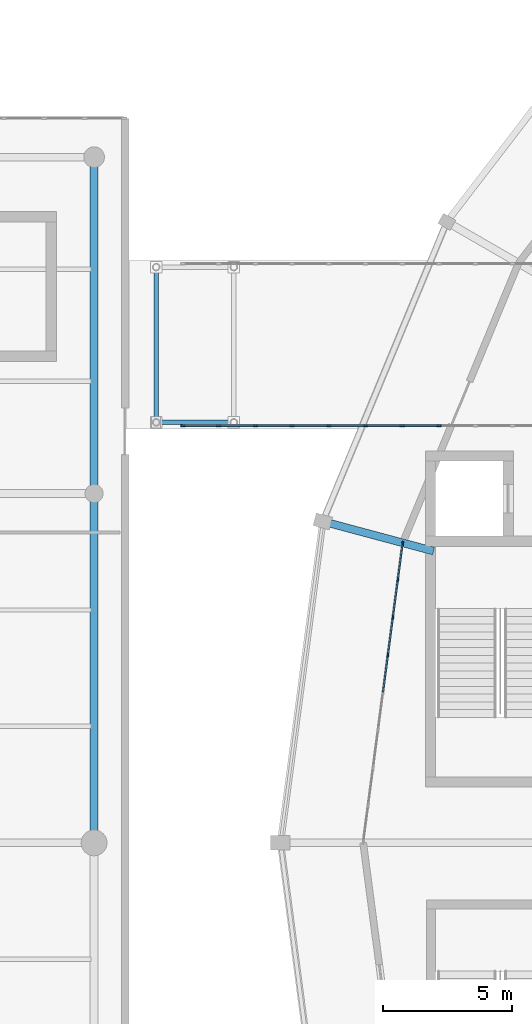
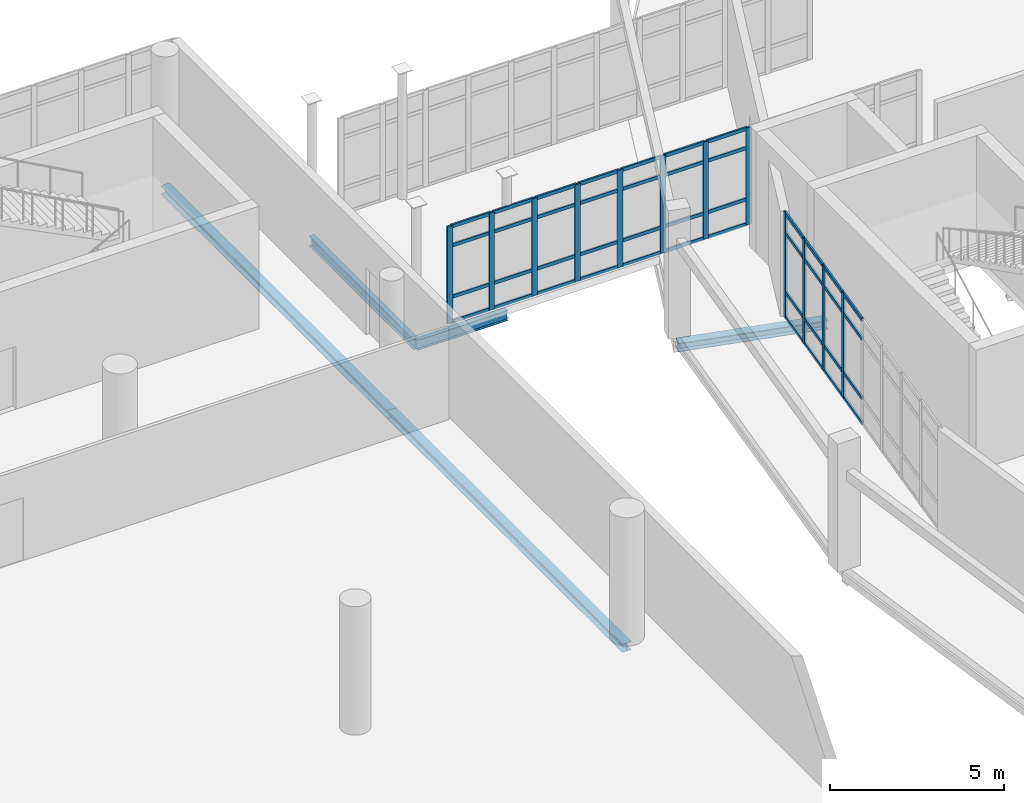
# One storey, part 48 of 122: 56 members, 5 beams, 2 elements without a shape of their own.
"""IFC4 building model written with IfcOpenShell, lengths in metres."""

import ifcopenshell
import ifcopenshell.guid

model = None  # the IFC model being written
_history = None  # IfcOwnerHistory: only IFC2X3 demands one
_inside = {}  # id of a spatial element -> (the spatial element, [elements in it])
_under = {}  # id of a project, library or spatial element -> (it, [spatial elements below it])
_declared = {}  # id of a project -> (the project, [libraries it declares])
_typed = {}  # id of a type object -> (the type object, [elements of that type])
_made_of = {}  # id of a material, layer set ... -> (it, [elements and type objects made of it])


def new_model(schema):
    """Start an empty IFC model of exactly this schema.

    Asked for "IFC4X3", IfcOpenShell would pick the latest addendum, in which some entities
    have other attributes; the version numbers below select the first issue.
    IFC2X3 requires an IfcOwnerHistory on every rooted entity: one is made here for all.
    """
    global model, _history
    if schema == "IFC4X3":
        model = ifcopenshell.file(schema_version=(4, 3, 0, 0))
    else:
        model = ifcopenshell.file(schema=schema)
    _inside.clear()
    _under.clear()
    _declared.clear()
    _typed.clear()
    _made_of.clear()
    _history = None
    if model.schema == "IFC2X3":
        org = make("IfcOrganization", Name="unknown")
        user = make(
            "IfcPersonAndOrganization",
            ThePerson=make("IfcPerson", FamilyName="unknown"),
            TheOrganization=org,
        )
        app = make(
            "IfcApplication",
            ApplicationDeveloper=org,
            Version="unknown",
            ApplicationFullName="unknown",
            ApplicationIdentifier="unknown",
        )
        _history = make(
            "IfcOwnerHistory",
            OwningUser=user,
            OwningApplication=app,
            ChangeAction="ADDED",
            CreationDate=0,
        )
    return model


def make(cls, **values):
    """One entity of the class cls with the attributes given. An attribute that is None is left unset."""
    return model.create_entity(
        cls, **{name: value for name, value in values.items() if value is not None}
    )


def rooted(cls, **values):
    """An entity with a GlobalId (a new one), such as an element, a storey or a relation."""
    return make(cls, GlobalId=ifcopenshell.guid.new(), OwnerHistory=_history, **values)


def si_unit(unit_type, name, prefix=None):
    """IfcSIUnit, for example si_unit("LENGTHUNIT", "METRE", prefix="MILLI")."""
    return make("IfcSIUnit", UnitType=unit_type, Prefix=prefix, Name=name)


def assignment(units):
    """IfcUnitAssignment: the units of a project."""
    return None if units is None else make("IfcUnitAssignment", Units=units)


def point(xyz):
    """IfcCartesianPoint."""
    return None if xyz is None else make("IfcCartesianPoint", Coordinates=xyz)


def direction(xyz):
    """IfcDirection."""
    return None if xyz is None else make("IfcDirection", DirectionRatios=xyz)


def frame(location, z_axis=None, x_axis=None):
    """IfcAxis2Placement3D, a coordinate frame: its origin and axes. An axis left out is left unset."""
    return make(
        "IfcAxis2Placement3D",
        Location=point(location),
        Axis=direction(z_axis),
        RefDirection=direction(x_axis),
    )


def frame_2d(location, x_axis=None):
    """IfcAxis2Placement2D, a coordinate frame in the plane: its origin and x axis."""
    return make(
        "IfcAxis2Placement2D", Location=point(location), RefDirection=direction(x_axis)
    )


def origin():
    """The frame at (0, 0, 0) with its axes left unset."""
    return frame((0.0, 0.0, 0.0))


def origin_2d():
    """The frame at (0, 0) in the plane with its x axis left unset."""
    return frame_2d((0.0, 0.0))


def place(relative_to, where):
    """IfcLocalPlacement: puts the frame where relative to a parent placement (None: the world)."""
    return make(
        "IfcLocalPlacement", PlacementRelTo=relative_to, RelativePlacement=where
    )


def context(
    kind, dimensions, precision=None, world=None, true_north=None, identifier=None
):
    """IfcGeometricRepresentationContext, for example the 3D "Model" context."""
    return make(
        "IfcGeometricRepresentationContext",
        ContextIdentifier=identifier,
        ContextType=kind,
        CoordinateSpaceDimension=dimensions,
        Precision=precision,
        WorldCoordinateSystem=world,
        TrueNorth=true_north,
    )


def subcontext(parent, identifier, kind, view, scale=None):
    """IfcGeometricRepresentationSubContext, for example "Body" below "Model"."""
    return make(
        "IfcGeometricRepresentationSubContext",
        ContextIdentifier=identifier,
        ContextType=kind,
        ParentContext=parent,
        TargetScale=scale,
        TargetView=view,
    )


def project(units=None, contexts=None):
    """IfcProject with its units and contexts."""
    return rooted(
        "IfcProject",
        Name="project",
        RepresentationContexts=contexts,
        UnitsInContext=assignment(units),
    )


def spatial(cls, under=None, at=None, **own):
    """A site, building, storey or space (cls), placed at a placement, below another one or the project."""
    s = rooted(cls, ObjectPlacement=at, **own)
    if under is not None:
        _under.setdefault(under.id(), (under, []))[1].append(s)
    return s


def profile(cls, at=None, kind="AREA", **sizes):
    """A parametric profile (cls). Its sizes go by their IFC names, for example OverallWidth=200.0."""
    return make(cls, ProfileType=kind, Position=at, **sizes)


def rectangle(**sizes):
    """IfcRectangleProfileDef."""
    return profile("IfcRectangleProfileDef", **sizes)


def i_section(**sizes):
    """IfcIShapeProfileDef."""
    return profile("IfcIShapeProfileDef", **sizes)


def extrude(swept, where, along, depth):
    """IfcExtrudedAreaSolid: the profile swept, set in the frame where, extruded along a direction by depth."""
    return make(
        "IfcExtrudedAreaSolid",
        SweptArea=swept,
        Position=where,
        ExtrudedDirection=direction(along),
        Depth=depth,
    )


def shape(context_of_items, identifier, shape_type, items):
    """IfcShapeRepresentation: the items that make up one representation, for example the "Body"."""
    return make(
        "IfcShapeRepresentation",
        ContextOfItems=context_of_items,
        RepresentationIdentifier=identifier,
        RepresentationType=shape_type,
        Items=items,
    )


def material(Name=None, Category=None):
    """IfcMaterial."""
    return make("IfcMaterial", Name=Name, Category=Category)


def layer(
    of_material, thickness, ventilated=None, Name=None, Category=None, Priority=None
):
    """IfcMaterialLayer: one layer of a wall or slab, of a material (None: an air gap)."""
    return make(
        "IfcMaterialLayer",
        Material=of_material,
        LayerThickness=thickness,
        IsVentilated=ventilated,
        Name=Name,
        Category=Category,
        Priority=Priority,
    )


def layer_set(layers, Name=None):
    """IfcMaterialLayerSet."""
    return make("IfcMaterialLayerSet", MaterialLayers=layers, LayerSetName=Name)


def material_profile(
    of_material, cross_section, Name=None, Category=None, Priority=None
):
    """IfcMaterialProfile: a cross section and its material."""
    return make(
        "IfcMaterialProfile",
        Name=Name,
        Material=of_material,
        Profile=cross_section,
        Priority=Priority,
        Category=Category,
    )


def profile_set(profiles, Name=None, composite=None):
    """IfcMaterialProfileSet."""
    return make(
        "IfcMaterialProfileSet",
        Name=Name,
        MaterialProfiles=profiles,
        CompositeProfile=composite,
    )


def made_of(thing, what):
    """Note that an element or type object is made of a material, layer set ...; save() writes the relation."""
    if what is not None:
        _made_of.setdefault(what.id(), (what, []))[1].append(thing)
    return thing


def type_object(cls, material=None, **own):
    """A type object (cls), such as IfcWallType, which elements share."""
    return made_of(rooted(cls, **own), material)


def element(
    cls,
    number,
    at=None,
    inside=None,
    cuts=None,
    type_object=None,
    material=None,
    context=None,
    identifier="Body",
    shape_type=None,
    held_by="IfcProductDefinitionShape",
    body=None,
    shapes=None,
    **own,
):
    """One element of the class cls, such as IfcWall. Its Tag is "e" and its number.

    at: its placement. inside: the storey or other place that contains it. cuts: it is an
    opening in that element (IfcRelVoidsElement). A single representation is given by context,
    identifier, shape_type and body (its items); several are given by shapes. held_by: the class
    of the entity that holds the representations. save() writes the other relations.
    """
    e = rooted(cls, Tag="e%d" % number, ObjectPlacement=at, **own)
    if body is not None:
        shapes = [shape(context, identifier, shape_type, body)]
    if shapes is not None:
        e.Representation = make(held_by, Representations=shapes)
    if inside is not None:
        _inside.setdefault(inside.id(), (inside, []))[1].append(e)
    if cuts is not None:
        rooted(
            "IfcRelVoidsElement", RelatingBuildingElement=cuts, RelatedOpeningElement=e
        )
    if type_object is not None:
        _typed.setdefault(type_object.id(), (type_object, []))[1].append(e)
    return made_of(e, material)


def aggregate(whole, parts):
    """IfcRelAggregates: a whole, such as a stair, and the parts it consists of."""
    return rooted("IfcRelAggregates", RelatingObject=whole, RelatedObjects=parts)


def save(model, path):
    """Write the relations noted so far, then the file.

    IfcRelAggregates (storeys below a building ...), IfcRelContainedInSpatialStructure (elements
    in a storey), IfcRelDefinesByType, IfcRelAssociatesMaterial and IfcRelDeclares: one each for
    every whole, place, type object, material and project.
    """
    for whole, parts in _under.values():
        aggregate(whole, parts)
    for where, things in _inside.values():
        rooted(
            "IfcRelContainedInSpatialStructure",
            RelatedElements=things,
            RelatingStructure=where,
        )
    for kind, things in _typed.values():
        rooted("IfcRelDefinesByType", RelatedObjects=things, RelatingType=kind)
    for what, things in _made_of.values():
        rooted("IfcRelAssociatesMaterial", RelatedObjects=things, RelatingMaterial=what)
    for by, libraries in _declared.values():
        rooted("IfcRelDeclares", RelatingContext=by, RelatedDefinitions=libraries)
    model.write(path)


model = new_model("IFC4")

# Units and contexts
model_context = context("Model", 3, precision=1e-05, world=origin(), true_north=direction((0.0, 1.0)))
body_context = subcontext(model_context, "Body", "Model", "MODEL_VIEW")
ifc_project = project(units=[si_unit("LENGTHUNIT", "METRE"), si_unit("AREAUNIT", "SQUARE_METRE"), si_unit("VOLUMEUNIT", "CUBIC_METRE"), si_unit("PLANEANGLEUNIT", "RADIAN"), si_unit("MASSUNIT", "GRAM", prefix="KILO")], contexts=[model_context])

# Site, building, storey
site_placement = place(None, origin())
site = spatial("IfcSite", under=ifc_project, at=site_placement, CompositionType="ELEMENT")
building_placement = place(site_placement, origin())
building = spatial("IfcBuilding", under=site, at=building_placement, Name="Sohan Crest Arena", CompositionType="ELEMENT")
storey_placement = place(building_placement, origin())
storey = spatial("IfcBuildingStorey", under=building, at=storey_placement, Name="L00", CompositionType="ELEMENT", Elevation=0.0)

# Curtain wall, members
ifc_material_1 = material(Name="Thermally broken anodised aluminium", Category="aluminium")
ifc_layer_1 = layer(ifc_material_1, 0.179931640625, Name="Thermally broken anodised aluminium")
ifc_layer_set_1 = layer_set([ifc_layer_1], Name="Thermally broken anodised aluminium")
curtain_wall_type_1 = type_object("IfcCurtainWallType", Name="ARC-CW01", PredefinedType="NOTDEFINED", material=ifc_layer_set_1)
curtain_wall_1_placement = place(storey_placement, origin())
curtain_wall_1 = element("IfcCurtainWall", 1, at=curtain_wall_1_placement, inside=storey, type_object=curtain_wall_type_1, Name="Unitised curtain wall CW-004", PredefinedType="NOTDEFINED")
ifc_material_profile_1 = material_profile(ifc_material_1, rectangle(XDim=0.06005859375, YDim=0.159912109375, at=origin_2d()), Name="ALU-MULL 60x160")
ifc_profile_set_1 = profile_set([ifc_material_profile_1], Name="Thermally broken anodised aluminium")
member_type_1 = type_object("IfcMemberType", Name="ARC-CW-ML01", PredefinedType="MULLION", material=ifc_profile_set_1)
member_1_placement = place(storey_placement, frame((54.72314453125, 89.565185546875, 0.0), z_axis=(0.0, 0.0, 1.0), x_axis=(0.991439446395, -0.13056731648, 0.0)))
member_1 = element("IfcMember", 2, at=member_1_placement, type_object=member_type_1, Name="CW-004 mullion 1", PredefinedType="MULLION", context=body_context, shape_type="SweptSolid", body=[
    extrude(rectangle(XDim=0.06005859375, YDim=0.159912109375, at=origin_2d()), origin(), (0.0, 0.0, 1.0), 3.679931640625),
])
member_2_placement = place(storey_placement, frame((54.5361328125, 88.1455078125, 0.0), z_axis=(0.0, 0.0, 1.0), x_axis=(0.991439446395, -0.13056731648, 0.0)))
member_2 = element("IfcMember", 3, at=member_2_placement, type_object=member_type_1, Name="CW-004 mullion 2", PredefinedType="MULLION", context=body_context, shape_type="SweptSolid", body=[
    extrude(rectangle(XDim=0.06005859375, YDim=0.159912109375, at=origin_2d()), origin(), (0.0, 0.0, 1.0), 3.679931640625),
])
member_3_placement = place(storey_placement, frame((54.34521484375, 86.6962890625, 0.0), z_axis=(0.0, 0.0, 1.0), x_axis=(0.991439446395, -0.13056731648, 0.0)))
member_3 = element("IfcMember", 4, at=member_3_placement, type_object=member_type_1, Name="CW-004 mullion 3", PredefinedType="MULLION", context=body_context, shape_type="SweptSolid", body=[
    extrude(rectangle(XDim=0.06005859375, YDim=0.159912109375, at=origin_2d()), origin(), (0.0, 0.0, 1.0), 3.679931640625),
])
member_4_placement = place(storey_placement, frame((54.154296875, 85.246826171875, 0.0), z_axis=(0.0, 0.0, 1.0), x_axis=(0.991439446395, -0.13056731648, 0.0)))
member_4 = element("IfcMember", 5, at=member_4_placement, type_object=member_type_1, Name="CW-004 mullion 4", PredefinedType="MULLION", context=body_context, shape_type="SweptSolid", body=[
    extrude(rectangle(XDim=0.06005859375, YDim=0.159912109375, at=origin_2d()), origin(), (0.0, 0.0, 1.0), 3.679931640625),
])

ifc_layer_2 = layer(ifc_material_1, 0.18994140625, Name="Thermally broken anodised aluminium")
ifc_layer_set_2 = layer_set([ifc_layer_2], Name="Thermally broken anodised aluminium")
curtain_wall_type_2 = type_object("IfcCurtainWallType", Name="ARC-CW05", PredefinedType="NOTDEFINED", material=ifc_layer_set_2)
curtain_wall_2_placement = place(storey_placement, origin())
curtain_wall_2 = element("IfcCurtainWall", 6, at=curtain_wall_2_placement, inside=storey, type_object=curtain_wall_type_2, Name="Unitised curtain wall CW-231", PredefinedType="NOTDEFINED")
ifc_material_profile_2 = material_profile(ifc_material_1, rectangle(XDim=0.06494140625, YDim=0.179931640625, at=origin_2d()), Name="ALU-MULL 65x180")
ifc_profile_set_2 = profile_set([ifc_material_profile_2], Name="Thermally broken anodised aluminium")
member_type_2 = type_object("IfcMemberType", Name="ARC-CW-ML02", PredefinedType="MULLION", material=ifc_profile_set_2)
member_5_placement = place(storey_placement, frame((46.232421875, 94.1201171875, 0.0), z_axis=(0.0, 0.0, 1.0), x_axis=(0.0, 1.0, 0.0)))
member_5 = element("IfcMember", 7, at=member_5_placement, type_object=member_type_2, Name="CW-231 mullion 1", PredefinedType="MULLION", context=body_context, shape_type="SweptSolid", body=[
    extrude(rectangle(XDim=0.06494140625, YDim=0.179931640625, at=origin_2d()), origin(), (0.0, 0.0, 1.0), 3.39990234375),
])
member_6_placement = place(storey_placement, frame((47.6181640625, 94.1201171875, 0.0), z_axis=(0.0, 0.0, 1.0), x_axis=(0.0, 1.0, 0.0)))
member_6 = element("IfcMember", 8, at=member_6_placement, type_object=member_type_2, Name="CW-231 mullion 2", PredefinedType="MULLION", context=body_context, shape_type="SweptSolid", body=[
    extrude(rectangle(XDim=0.06494140625, YDim=0.179931640625, at=origin_2d()), origin(), (0.0, 0.0, 1.0), 3.39990234375),
])
member_7_placement = place(storey_placement, frame((49.036376953125, 94.1201171875, 0.0), z_axis=(0.0, 0.0, 1.0), x_axis=(0.0, 1.0, 0.0)))
member_7 = element("IfcMember", 9, at=member_7_placement, type_object=member_type_2, Name="CW-231 mullion 3", PredefinedType="MULLION", context=body_context, shape_type="SweptSolid", body=[
    extrude(rectangle(XDim=0.06494140625, YDim=0.179931640625, at=origin_2d()), origin(), (0.0, 0.0, 1.0), 3.39990234375),
])
member_8_placement = place(storey_placement, frame((50.45458984375, 94.1201171875, 0.0), z_axis=(0.0, 0.0, 1.0), x_axis=(0.0, 1.0, 0.0)))
member_8 = element("IfcMember", 10, at=member_8_placement, type_object=member_type_2, Name="CW-231 mullion 4", PredefinedType="MULLION", context=body_context, shape_type="SweptSolid", body=[
    extrude(rectangle(XDim=0.06494140625, YDim=0.179931640625, at=origin_2d()), origin(), (0.0, 0.0, 1.0), 3.39990234375),
])
member_9_placement = place(storey_placement, frame((51.872802734375, 94.1201171875, 0.0), z_axis=(0.0, 0.0, 1.0), x_axis=(0.0, 1.0, 0.0)))
member_9 = element("IfcMember", 11, at=member_9_placement, type_object=member_type_2, Name="CW-231 mullion 5", PredefinedType="MULLION", context=body_context, shape_type="SweptSolid", body=[
    extrude(rectangle(XDim=0.06494140625, YDim=0.179931640625, at=origin_2d()), origin(), (0.0, 0.0, 1.0), 3.39990234375),
])
member_10_placement = place(storey_placement, frame((53.291015625, 94.1201171875, 0.0), z_axis=(0.0, 0.0, 1.0), x_axis=(0.0, 1.0, 0.0)))
member_10 = element("IfcMember", 12, at=member_10_placement, type_object=member_type_2, Name="CW-231 mullion 6", PredefinedType="MULLION", context=body_context, shape_type="SweptSolid", body=[
    extrude(rectangle(XDim=0.06494140625, YDim=0.179931640625, at=origin_2d()), origin(), (0.0, 0.0, 1.0), 3.39990234375),
])
member_11_placement = place(storey_placement, frame((54.708984375, 94.1201171875, 0.0), z_axis=(0.0, 0.0, 1.0), x_axis=(0.0, 1.0, 0.0)))
member_11 = element("IfcMember", 13, at=member_11_placement, type_object=member_type_2, Name="CW-231 mullion 7", PredefinedType="MULLION", context=body_context, shape_type="SweptSolid", body=[
    extrude(rectangle(XDim=0.06494140625, YDim=0.179931640625, at=origin_2d()), origin(), (0.0, 0.0, 1.0), 3.39990234375),
])
member_12_placement = place(storey_placement, frame((56.127197265625, 94.1201171875, 0.0), z_axis=(0.0, 0.0, 1.0), x_axis=(0.0, 1.0, 0.0)))
member_12 = element("IfcMember", 14, at=member_12_placement, type_object=member_type_2, Name="CW-231 mullion 8", PredefinedType="MULLION", context=body_context, shape_type="SweptSolid", body=[
    extrude(rectangle(XDim=0.06494140625, YDim=0.179931640625, at=origin_2d()), origin(), (0.0, 0.0, 1.0), 3.39990234375),
])

# Member
ifc_material_profile_3 = material_profile(ifc_material_1, rectangle(XDim=0.06005859375, YDim=0.1201171875, at=origin_2d()), Name="ALU-TRAN 60x120")
ifc_profile_set_3 = profile_set([ifc_material_profile_3], Name="Thermally broken anodised aluminium")
member_type_3 = type_object("IfcMemberType", Name="ARC-CW-TR01", PredefinedType="USERDEFINED", material=ifc_profile_set_3)
member_13_placement = place(storey_placement, frame((54.71923828125, 89.535400390625, 0.030029296875), z_axis=(-0.130624841468, -0.991431868961, 0.0), x_axis=(0.991431868961, -0.130624841468, 0.0)))
member_13 = element("IfcMember", 15, at=member_13_placement, type_object=member_type_3, Name="CW-004 transom 1.1", ObjectType="TRANSOM", PredefinedType="USERDEFINED", context=body_context, shape_type="SweptSolid", body=[
    extrude(rectangle(XDim=0.06005859375, YDim=0.1201171875, at=origin_2d()), origin(), (0.0, 0.0, 1.0), 1.371826171875),
])

member_14_placement = place(storey_placement, frame((54.71923828125, 89.535400390625, 0.89990234375), z_axis=(-0.130624841468, -0.991431868961, 0.0), x_axis=(0.991431868961, -0.130624841468, 0.0)))
member_14 = element("IfcMember", 16, at=member_14_placement, type_object=member_type_3, Name="CW-004 transom 1.2", ObjectType="TRANSOM", PredefinedType="USERDEFINED", context=body_context, shape_type="SweptSolid", body=[
    extrude(rectangle(XDim=0.06005859375, YDim=0.1201171875, at=origin_2d()), origin(), (0.0, 0.0, 1.0), 1.371826171875),
])

member_15_placement = place(storey_placement, frame((54.71923828125, 89.535400390625, 2.97998046875), z_axis=(-0.130624841468, -0.991431868961, 0.0), x_axis=(0.991431868961, -0.130624841468, 0.0)))
member_15 = element("IfcMember", 17, at=member_15_placement, type_object=member_type_3, Name="CW-004 transom 1.3", ObjectType="TRANSOM", PredefinedType="USERDEFINED", context=body_context, shape_type="SweptSolid", body=[
    extrude(rectangle(XDim=0.06005859375, YDim=0.1201171875, at=origin_2d()), origin(), (0.0, 0.0, 1.0), 1.371826171875),
])

member_16_placement = place(storey_placement, frame((54.71923828125, 89.535400390625, 3.64990234375), z_axis=(-0.130624841468, -0.991431868961, 0.0), x_axis=(0.991431868961, -0.130624841468, 0.0)))
member_16 = element("IfcMember", 18, at=member_16_placement, type_object=member_type_3, Name="CW-004 transom 1.4", ObjectType="TRANSOM", PredefinedType="USERDEFINED", context=body_context, shape_type="SweptSolid", body=[
    extrude(rectangle(XDim=0.06005859375, YDim=0.1201171875, at=origin_2d()), origin(), (0.0, 0.0, 1.0), 1.371826171875),
])

member_17_placement = place(storey_placement, frame((54.5322265625, 88.115966796875, 0.030029296875), z_axis=(-0.130612182083, -0.9914335368, 0.0), x_axis=(0.9914335368, -0.130612182083, 0.0)))
member_17 = element("IfcMember", 19, at=member_17_placement, type_object=member_type_3, Name="CW-004 transom 2.1", ObjectType="TRANSOM", PredefinedType="USERDEFINED", context=body_context, shape_type="SweptSolid", body=[
    extrude(rectangle(XDim=0.06005859375, YDim=0.1201171875, at=origin_2d()), origin(), (0.0, 0.0, 1.0), 1.40185546875),
])

member_18_placement = place(storey_placement, frame((54.5322265625, 88.115966796875, 0.89990234375), z_axis=(-0.130612182083, -0.9914335368, 0.0), x_axis=(0.9914335368, -0.130612182083, 0.0)))
member_18 = element("IfcMember", 20, at=member_18_placement, type_object=member_type_3, Name="CW-004 transom 2.2", ObjectType="TRANSOM", PredefinedType="USERDEFINED", context=body_context, shape_type="SweptSolid", body=[
    extrude(rectangle(XDim=0.06005859375, YDim=0.1201171875, at=origin_2d()), origin(), (0.0, 0.0, 1.0), 1.40185546875),
])

member_19_placement = place(storey_placement, frame((54.5322265625, 88.115966796875, 2.97998046875), z_axis=(-0.130612182083, -0.9914335368, 0.0), x_axis=(0.9914335368, -0.130612182083, 0.0)))
member_19 = element("IfcMember", 21, at=member_19_placement, type_object=member_type_3, Name="CW-004 transom 2.3", ObjectType="TRANSOM", PredefinedType="USERDEFINED", context=body_context, shape_type="SweptSolid", body=[
    extrude(rectangle(XDim=0.06005859375, YDim=0.1201171875, at=origin_2d()), origin(), (0.0, 0.0, 1.0), 1.40185546875),
])

member_20_placement = place(storey_placement, frame((54.5322265625, 88.115966796875, 3.64990234375), z_axis=(-0.130612182083, -0.9914335368, 0.0), x_axis=(0.9914335368, -0.130612182083, 0.0)))
member_20 = element("IfcMember", 22, at=member_20_placement, type_object=member_type_3, Name="CW-004 transom 2.4", ObjectType="TRANSOM", PredefinedType="USERDEFINED", context=body_context, shape_type="SweptSolid", body=[
    extrude(rectangle(XDim=0.06005859375, YDim=0.1201171875, at=origin_2d()), origin(), (0.0, 0.0, 1.0), 1.40185546875),
])

member_21_placement = place(storey_placement, frame((54.34130859375, 86.66650390625, 0.030029296875), z_axis=(-0.130612182083, -0.9914335368, 0.0), x_axis=(0.9914335368, -0.130612182083, 0.0)))
member_21 = element("IfcMember", 23, at=member_21_placement, type_object=member_type_3, Name="CW-004 transom 3.1", ObjectType="TRANSOM", PredefinedType="USERDEFINED", context=body_context, shape_type="SweptSolid", body=[
    extrude(rectangle(XDim=0.06005859375, YDim=0.1201171875, at=origin_2d()), origin(), (0.0, 0.0, 1.0), 1.40185546875),
])

member_22_placement = place(storey_placement, frame((54.34130859375, 86.66650390625, 0.89990234375), z_axis=(-0.130612182083, -0.9914335368, 0.0), x_axis=(0.9914335368, -0.130612182083, 0.0)))
member_22 = element("IfcMember", 24, at=member_22_placement, type_object=member_type_3, Name="CW-004 transom 3.2", ObjectType="TRANSOM", PredefinedType="USERDEFINED", context=body_context, shape_type="SweptSolid", body=[
    extrude(rectangle(XDim=0.06005859375, YDim=0.1201171875, at=origin_2d()), origin(), (0.0, 0.0, 1.0), 1.40185546875),
])

member_23_placement = place(storey_placement, frame((54.34130859375, 86.66650390625, 2.97998046875), z_axis=(-0.130612182083, -0.9914335368, 0.0), x_axis=(0.9914335368, -0.130612182083, 0.0)))
member_23 = element("IfcMember", 25, at=member_23_placement, type_object=member_type_3, Name="CW-004 transom 3.3", ObjectType="TRANSOM", PredefinedType="USERDEFINED", context=body_context, shape_type="SweptSolid", body=[
    extrude(rectangle(XDim=0.06005859375, YDim=0.1201171875, at=origin_2d()), origin(), (0.0, 0.0, 1.0), 1.40185546875),
])

member_24_placement = place(storey_placement, frame((54.34130859375, 86.66650390625, 3.64990234375), z_axis=(-0.130612182083, -0.9914335368, 0.0), x_axis=(0.9914335368, -0.130612182083, 0.0)))
member_24 = element("IfcMember", 26, at=member_24_placement, type_object=member_type_3, Name="CW-004 transom 3.4", ObjectType="TRANSOM", PredefinedType="USERDEFINED", context=body_context, shape_type="SweptSolid", body=[
    extrude(rectangle(XDim=0.06005859375, YDim=0.1201171875, at=origin_2d()), origin(), (0.0, 0.0, 1.0), 1.40185546875),
])

member_25_placement = place(storey_placement, frame((54.150390625, 85.217041015625, 0.030029296875), z_axis=(-0.130440997581, -0.991456073737, 0.0), x_axis=(0.991456073737, -0.130440997581, 0.0)))
member_25 = element("IfcMember", 27, at=member_25_placement, type_object=member_type_3, Name="CW-004 transom 4.1", ObjectType="TRANSOM", PredefinedType="USERDEFINED", context=body_context, shape_type="SweptSolid", body=[
    extrude(rectangle(XDim=0.06005859375, YDim=0.1201171875, at=origin_2d()), origin(), (0.0, 0.0, 1.0), 1.40185546875),
])

member_26_placement = place(storey_placement, frame((54.150390625, 85.217041015625, 0.89990234375), z_axis=(-0.130440997581, -0.991456073737, 0.0), x_axis=(0.991456073737, -0.130440997581, 0.0)))
member_26 = element("IfcMember", 28, at=member_26_placement, type_object=member_type_3, Name="CW-004 transom 4.2", ObjectType="TRANSOM", PredefinedType="USERDEFINED", context=body_context, shape_type="SweptSolid", body=[
    extrude(rectangle(XDim=0.06005859375, YDim=0.1201171875, at=origin_2d()), origin(), (0.0, 0.0, 1.0), 1.40185546875),
])

member_27_placement = place(storey_placement, frame((54.150390625, 85.217041015625, 2.97998046875), z_axis=(-0.130440997581, -0.991456073737, 0.0), x_axis=(0.991456073737, -0.130440997581, 0.0)))
member_27 = element("IfcMember", 29, at=member_27_placement, type_object=member_type_3, Name="CW-004 transom 4.3", ObjectType="TRANSOM", PredefinedType="USERDEFINED", context=body_context, shape_type="SweptSolid", body=[
    extrude(rectangle(XDim=0.06005859375, YDim=0.1201171875, at=origin_2d()), origin(), (0.0, 0.0, 1.0), 1.40185546875),
])

member_28_placement = place(storey_placement, frame((54.150390625, 85.217041015625, 3.64990234375), z_axis=(-0.130440997581, -0.991456073737, 0.0), x_axis=(0.991456073737, -0.130440997581, 0.0)))
member_28 = element("IfcMember", 30, at=member_28_placement, type_object=member_type_3, Name="CW-004 transom 4.4", ObjectType="TRANSOM", PredefinedType="USERDEFINED", context=body_context, shape_type="SweptSolid", body=[
    extrude(rectangle(XDim=0.06005859375, YDim=0.1201171875, at=origin_2d()), origin(), (0.0, 0.0, 1.0), 1.40185546875),
])

aggregate(curtain_wall_1, [member_1, member_2, member_3, member_4, member_13, member_14, member_15, member_16, member_17, member_18, member_19, member_20, member_21, member_22, member_23, member_24, member_25, member_26, member_27, member_28])

member_29_placement = place(storey_placement, frame((46.264892578125, 94.1201171875, 0.030029296875), z_axis=(1.0, 0.0, 0.0), x_axis=(0.0, 1.0, 0.0)))
member_29 = element("IfcMember", 31, at=member_29_placement, type_object=member_type_3, Name="CW-231 transom 1.1", ObjectType="TRANSOM", PredefinedType="USERDEFINED", context=body_context, shape_type="SweptSolid", body=[
    extrude(rectangle(XDim=0.06005859375, YDim=0.1201171875, at=origin_2d()), origin(), (0.0, 0.0, 1.0), 1.32080078125),
])

member_30_placement = place(storey_placement, frame((46.264892578125, 94.1201171875, 0.89990234375), z_axis=(1.0, 0.0, 0.0), x_axis=(0.0, 1.0, 0.0)))
member_30 = element("IfcMember", 32, at=member_30_placement, type_object=member_type_3, Name="CW-231 transom 1.2", ObjectType="TRANSOM", PredefinedType="USERDEFINED", context=body_context, shape_type="SweptSolid", body=[
    extrude(rectangle(XDim=0.06005859375, YDim=0.1201171875, at=origin_2d()), origin(), (0.0, 0.0, 1.0), 1.32080078125),
])

member_31_placement = place(storey_placement, frame((46.264892578125, 94.1201171875, 2.699951171875), z_axis=(1.0, 0.0, 0.0), x_axis=(0.0, 1.0, 0.0)))
member_31 = element("IfcMember", 33, at=member_31_placement, type_object=member_type_3, Name="CW-231 transom 1.3", ObjectType="TRANSOM", PredefinedType="USERDEFINED", context=body_context, shape_type="SweptSolid", body=[
    extrude(rectangle(XDim=0.06005859375, YDim=0.1201171875, at=origin_2d()), origin(), (0.0, 0.0, 1.0), 1.32080078125),
])

member_32_placement = place(storey_placement, frame((46.264892578125, 94.1201171875, 3.3701171875), z_axis=(1.0, 0.0, 0.0), x_axis=(0.0, 1.0, 0.0)))
member_32 = element("IfcMember", 34, at=member_32_placement, type_object=member_type_3, Name="CW-231 transom 1.4", ObjectType="TRANSOM", PredefinedType="USERDEFINED", context=body_context, shape_type="SweptSolid", body=[
    extrude(rectangle(XDim=0.06005859375, YDim=0.1201171875, at=origin_2d()), origin(), (0.0, 0.0, 1.0), 1.32080078125),
])

member_33_placement = place(storey_placement, frame((47.650634765625, 94.1201171875, 0.030029296875), z_axis=(1.0, 0.0, 0.0), x_axis=(0.0, 1.0, 0.0)))
member_33 = element("IfcMember", 35, at=member_33_placement, type_object=member_type_3, Name="CW-231 transom 2.1", ObjectType="TRANSOM", PredefinedType="USERDEFINED", context=body_context, shape_type="SweptSolid", body=[
    extrude(rectangle(XDim=0.06005859375, YDim=0.1201171875, at=origin_2d()), origin(), (0.0, 0.0, 1.0), 1.353271484375),
])

member_34_placement = place(storey_placement, frame((47.650634765625, 94.1201171875, 0.89990234375), z_axis=(1.0, 0.0, 0.0), x_axis=(0.0, 1.0, 0.0)))
member_34 = element("IfcMember", 36, at=member_34_placement, type_object=member_type_3, Name="CW-231 transom 2.2", ObjectType="TRANSOM", PredefinedType="USERDEFINED", context=body_context, shape_type="SweptSolid", body=[
    extrude(rectangle(XDim=0.06005859375, YDim=0.1201171875, at=origin_2d()), origin(), (0.0, 0.0, 1.0), 1.353271484375),
])

member_35_placement = place(storey_placement, frame((47.650634765625, 94.1201171875, 2.699951171875), z_axis=(1.0, 0.0, 0.0), x_axis=(0.0, 1.0, 0.0)))
member_35 = element("IfcMember", 37, at=member_35_placement, type_object=member_type_3, Name="CW-231 transom 2.3", ObjectType="TRANSOM", PredefinedType="USERDEFINED", context=body_context, shape_type="SweptSolid", body=[
    extrude(rectangle(XDim=0.06005859375, YDim=0.1201171875, at=origin_2d()), origin(), (0.0, 0.0, 1.0), 1.353271484375),
])

member_36_placement = place(storey_placement, frame((47.650634765625, 94.1201171875, 3.3701171875), z_axis=(1.0, 0.0, 0.0), x_axis=(0.0, 1.0, 0.0)))
member_36 = element("IfcMember", 38, at=member_36_placement, type_object=member_type_3, Name="CW-231 transom 2.4", ObjectType="TRANSOM", PredefinedType="USERDEFINED", context=body_context, shape_type="SweptSolid", body=[
    extrude(rectangle(XDim=0.06005859375, YDim=0.1201171875, at=origin_2d()), origin(), (0.0, 0.0, 1.0), 1.353271484375),
])

member_37_placement = place(storey_placement, frame((49.06884765625, 94.1201171875, 0.030029296875), z_axis=(1.0, 0.0, 0.0), x_axis=(0.0, 1.0, 0.0)))
member_37 = element("IfcMember", 39, at=member_37_placement, type_object=member_type_3, Name="CW-231 transom 3.1", ObjectType="TRANSOM", PredefinedType="USERDEFINED", context=body_context, shape_type="SweptSolid", body=[
    extrude(rectangle(XDim=0.06005859375, YDim=0.1201171875, at=origin_2d()), origin(), (0.0, 0.0, 1.0), 1.353271484375),
])

member_38_placement = place(storey_placement, frame((49.06884765625, 94.1201171875, 0.89990234375), z_axis=(1.0, 0.0, 0.0), x_axis=(0.0, 1.0, 0.0)))
member_38 = element("IfcMember", 40, at=member_38_placement, type_object=member_type_3, Name="CW-231 transom 3.2", ObjectType="TRANSOM", PredefinedType="USERDEFINED", context=body_context, shape_type="SweptSolid", body=[
    extrude(rectangle(XDim=0.06005859375, YDim=0.1201171875, at=origin_2d()), origin(), (0.0, 0.0, 1.0), 1.353271484375),
])

member_39_placement = place(storey_placement, frame((49.06884765625, 94.1201171875, 2.699951171875), z_axis=(1.0, 0.0, 0.0), x_axis=(0.0, 1.0, 0.0)))
member_39 = element("IfcMember", 41, at=member_39_placement, type_object=member_type_3, Name="CW-231 transom 3.3", ObjectType="TRANSOM", PredefinedType="USERDEFINED", context=body_context, shape_type="SweptSolid", body=[
    extrude(rectangle(XDim=0.06005859375, YDim=0.1201171875, at=origin_2d()), origin(), (0.0, 0.0, 1.0), 1.353271484375),
])

member_40_placement = place(storey_placement, frame((49.06884765625, 94.1201171875, 3.3701171875), z_axis=(1.0, 0.0, 0.0), x_axis=(0.0, 1.0, 0.0)))
member_40 = element("IfcMember", 42, at=member_40_placement, type_object=member_type_3, Name="CW-231 transom 3.4", ObjectType="TRANSOM", PredefinedType="USERDEFINED", context=body_context, shape_type="SweptSolid", body=[
    extrude(rectangle(XDim=0.06005859375, YDim=0.1201171875, at=origin_2d()), origin(), (0.0, 0.0, 1.0), 1.353271484375),
])

member_41_placement = place(storey_placement, frame((50.487060546875, 94.1201171875, 0.030029296875), z_axis=(1.0, 0.0, 0.0), x_axis=(0.0, 1.0, 0.0)))
member_41 = element("IfcMember", 43, at=member_41_placement, type_object=member_type_3, Name="CW-231 transom 4.1", ObjectType="TRANSOM", PredefinedType="USERDEFINED", context=body_context, shape_type="SweptSolid", body=[
    extrude(rectangle(XDim=0.06005859375, YDim=0.1201171875, at=origin_2d()), origin(), (0.0, 0.0, 1.0), 1.353271484375),
])

member_42_placement = place(storey_placement, frame((50.487060546875, 94.1201171875, 0.89990234375), z_axis=(1.0, 0.0, 0.0), x_axis=(0.0, 1.0, 0.0)))
member_42 = element("IfcMember", 44, at=member_42_placement, type_object=member_type_3, Name="CW-231 transom 4.2", ObjectType="TRANSOM", PredefinedType="USERDEFINED", context=body_context, shape_type="SweptSolid", body=[
    extrude(rectangle(XDim=0.06005859375, YDim=0.1201171875, at=origin_2d()), origin(), (0.0, 0.0, 1.0), 1.353271484375),
])

member_43_placement = place(storey_placement, frame((50.487060546875, 94.1201171875, 2.699951171875), z_axis=(1.0, 0.0, 0.0), x_axis=(0.0, 1.0, 0.0)))
member_43 = element("IfcMember", 45, at=member_43_placement, type_object=member_type_3, Name="CW-231 transom 4.3", ObjectType="TRANSOM", PredefinedType="USERDEFINED", context=body_context, shape_type="SweptSolid", body=[
    extrude(rectangle(XDim=0.06005859375, YDim=0.1201171875, at=origin_2d()), origin(), (0.0, 0.0, 1.0), 1.353271484375),
])

member_44_placement = place(storey_placement, frame((50.487060546875, 94.1201171875, 3.3701171875), z_axis=(1.0, 0.0, 0.0), x_axis=(0.0, 1.0, 0.0)))
member_44 = element("IfcMember", 46, at=member_44_placement, type_object=member_type_3, Name="CW-231 transom 4.4", ObjectType="TRANSOM", PredefinedType="USERDEFINED", context=body_context, shape_type="SweptSolid", body=[
    extrude(rectangle(XDim=0.06005859375, YDim=0.1201171875, at=origin_2d()), origin(), (0.0, 0.0, 1.0), 1.353271484375),
])

member_45_placement = place(storey_placement, frame((51.9052734375, 94.1201171875, 0.030029296875), z_axis=(1.0, 0.0, 0.0), x_axis=(0.0, 1.0, 0.0)))
member_45 = element("IfcMember", 47, at=member_45_placement, type_object=member_type_3, Name="CW-231 transom 5.1", ObjectType="TRANSOM", PredefinedType="USERDEFINED", context=body_context, shape_type="SweptSolid", body=[
    extrude(rectangle(XDim=0.06005859375, YDim=0.1201171875, at=origin_2d()), origin(), (0.0, 0.0, 1.0), 1.35302734375),
])

member_46_placement = place(storey_placement, frame((51.9052734375, 94.1201171875, 0.89990234375), z_axis=(1.0, 0.0, 0.0), x_axis=(0.0, 1.0, 0.0)))
member_46 = element("IfcMember", 48, at=member_46_placement, type_object=member_type_3, Name="CW-231 transom 5.2", ObjectType="TRANSOM", PredefinedType="USERDEFINED", context=body_context, shape_type="SweptSolid", body=[
    extrude(rectangle(XDim=0.06005859375, YDim=0.1201171875, at=origin_2d()), origin(), (0.0, 0.0, 1.0), 1.35302734375),
])

member_47_placement = place(storey_placement, frame((51.9052734375, 94.1201171875, 2.699951171875), z_axis=(1.0, 0.0, 0.0), x_axis=(0.0, 1.0, 0.0)))
member_47 = element("IfcMember", 49, at=member_47_placement, type_object=member_type_3, Name="CW-231 transom 5.3", ObjectType="TRANSOM", PredefinedType="USERDEFINED", context=body_context, shape_type="SweptSolid", body=[
    extrude(rectangle(XDim=0.06005859375, YDim=0.1201171875, at=origin_2d()), origin(), (0.0, 0.0, 1.0), 1.35302734375),
])

member_48_placement = place(storey_placement, frame((51.9052734375, 94.1201171875, 3.3701171875), z_axis=(1.0, 0.0, 0.0), x_axis=(0.0, 1.0, 0.0)))
member_48 = element("IfcMember", 50, at=member_48_placement, type_object=member_type_3, Name="CW-231 transom 5.4", ObjectType="TRANSOM", PredefinedType="USERDEFINED", context=body_context, shape_type="SweptSolid", body=[
    extrude(rectangle(XDim=0.06005859375, YDim=0.1201171875, at=origin_2d()), origin(), (0.0, 0.0, 1.0), 1.35302734375),
])

member_49_placement = place(storey_placement, frame((53.323486328125, 94.1201171875, 0.030029296875), z_axis=(1.0, 0.0, 0.0), x_axis=(0.0, 1.0, 0.0)))
member_49 = element("IfcMember", 51, at=member_49_placement, type_object=member_type_3, Name="CW-231 transom 6.1", ObjectType="TRANSOM", PredefinedType="USERDEFINED", context=body_context, shape_type="SweptSolid", body=[
    extrude(rectangle(XDim=0.06005859375, YDim=0.1201171875, at=origin_2d()), origin(), (0.0, 0.0, 1.0), 1.35302734375),
])

member_50_placement = place(storey_placement, frame((53.323486328125, 94.1201171875, 0.89990234375), z_axis=(1.0, 0.0, 0.0), x_axis=(0.0, 1.0, 0.0)))
member_50 = element("IfcMember", 52, at=member_50_placement, type_object=member_type_3, Name="CW-231 transom 6.2", ObjectType="TRANSOM", PredefinedType="USERDEFINED", context=body_context, shape_type="SweptSolid", body=[
    extrude(rectangle(XDim=0.06005859375, YDim=0.1201171875, at=origin_2d()), origin(), (0.0, 0.0, 1.0), 1.35302734375),
])

member_51_placement = place(storey_placement, frame((53.323486328125, 94.1201171875, 2.699951171875), z_axis=(1.0, 0.0, 0.0), x_axis=(0.0, 1.0, 0.0)))
member_51 = element("IfcMember", 53, at=member_51_placement, type_object=member_type_3, Name="CW-231 transom 6.3", ObjectType="TRANSOM", PredefinedType="USERDEFINED", context=body_context, shape_type="SweptSolid", body=[
    extrude(rectangle(XDim=0.06005859375, YDim=0.1201171875, at=origin_2d()), origin(), (0.0, 0.0, 1.0), 1.35302734375),
])

member_52_placement = place(storey_placement, frame((53.323486328125, 94.1201171875, 3.3701171875), z_axis=(1.0, 0.0, 0.0), x_axis=(0.0, 1.0, 0.0)))
member_52 = element("IfcMember", 54, at=member_52_placement, type_object=member_type_3, Name="CW-231 transom 6.4", ObjectType="TRANSOM", PredefinedType="USERDEFINED", context=body_context, shape_type="SweptSolid", body=[
    extrude(rectangle(XDim=0.06005859375, YDim=0.1201171875, at=origin_2d()), origin(), (0.0, 0.0, 1.0), 1.35302734375),
])

member_53_placement = place(storey_placement, frame((54.74169921875, 94.1201171875, 0.030029296875), z_axis=(1.0, 0.0, 0.0), x_axis=(0.0, 1.0, 0.0)))
member_53 = element("IfcMember", 55, at=member_53_placement, type_object=member_type_3, Name="CW-231 transom 7.1", ObjectType="TRANSOM", PredefinedType="USERDEFINED", context=body_context, shape_type="SweptSolid", body=[
    extrude(rectangle(XDim=0.06005859375, YDim=0.1201171875, at=origin_2d()), origin(), (0.0, 0.0, 1.0), 1.35302734375),
])

member_54_placement = place(storey_placement, frame((54.74169921875, 94.1201171875, 0.89990234375), z_axis=(1.0, 0.0, 0.0), x_axis=(0.0, 1.0, 0.0)))
member_54 = element("IfcMember", 56, at=member_54_placement, type_object=member_type_3, Name="CW-231 transom 7.2", ObjectType="TRANSOM", PredefinedType="USERDEFINED", context=body_context, shape_type="SweptSolid", body=[
    extrude(rectangle(XDim=0.06005859375, YDim=0.1201171875, at=origin_2d()), origin(), (0.0, 0.0, 1.0), 1.35302734375),
])

member_55_placement = place(storey_placement, frame((54.74169921875, 94.1201171875, 2.699951171875), z_axis=(1.0, 0.0, 0.0), x_axis=(0.0, 1.0, 0.0)))
member_55 = element("IfcMember", 57, at=member_55_placement, type_object=member_type_3, Name="CW-231 transom 7.3", ObjectType="TRANSOM", PredefinedType="USERDEFINED", context=body_context, shape_type="SweptSolid", body=[
    extrude(rectangle(XDim=0.06005859375, YDim=0.1201171875, at=origin_2d()), origin(), (0.0, 0.0, 1.0), 1.35302734375),
])

member_56_placement = place(storey_placement, frame((54.74169921875, 94.1201171875, 3.3701171875), z_axis=(1.0, 0.0, 0.0), x_axis=(0.0, 1.0, 0.0)))
member_56 = element("IfcMember", 58, at=member_56_placement, type_object=member_type_3, Name="CW-231 transom 7.4", ObjectType="TRANSOM", PredefinedType="USERDEFINED", context=body_context, shape_type="SweptSolid", body=[
    extrude(rectangle(XDim=0.06005859375, YDim=0.1201171875, at=origin_2d()), origin(), (0.0, 0.0, 1.0), 1.35302734375),
])

aggregate(curtain_wall_2, [member_5, member_6, member_7, member_8, member_9, member_10, member_11, member_12, member_29, member_30, member_31, member_32, member_33, member_34, member_35, member_36, member_37, member_38, member_39, member_40, member_41, member_42, member_43, member_44, member_45, member_46, member_47, member_48, member_49, member_50, member_51, member_52, member_53, member_54, member_55, member_56])

# Beams
ifc_material_2 = material(Name="Steel S355", Category="steel")
ifc_material_profile_4 = material_profile(ifc_material_2, i_section(OverallWidth=0.169921875, OverallDepth=0.360107421875, WebThickness=0.008056640625, FlangeThickness=0.0126953125, at=origin_2d()), Name="IPE 360")
ifc_profile_set_4 = profile_set([ifc_material_profile_4], Name="Steel S355")
beam_type_1 = type_object("IfcBeamType", Name="STR-BM-B02", PredefinedType="JOIST", material=ifc_profile_set_4)
beam_1_placement = place(storey_placement, frame((45.199951171875, 94.25, -0.455078125), z_axis=(1.0, 0.0, 0.0), x_axis=(0.0, 1.0, 0.0)))
element("IfcBeam", 59, at=beam_1_placement, inside=storey, type_object=beam_type_1, Name="Structural beam BG-L00-2940", PredefinedType="JOIST", context=body_context, shape_type="SweptSolid", body=[
    extrude(i_section(OverallWidth=0.169921875, OverallDepth=0.360107421875, WebThickness=0.008056640625, FlangeThickness=0.0126953125, at=origin_2d()), origin(), (0.0, 0.0, 1.0), 3.0),
])
beam_2_placement = place(storey_placement, frame((45.199951171875, 94.25, -0.455078125), z_axis=(0.0, 1.0, 0.0), x_axis=(-1.0, 0.0, 0.0)))
element("IfcBeam", 60, at=beam_2_placement, inside=storey, type_object=beam_type_1, Name="Structural beam BG-L00-2942", PredefinedType="JOIST", context=body_context, shape_type="SweptSolid", body=[
    extrude(i_section(OverallWidth=0.169921875, OverallDepth=0.360107421875, WebThickness=0.008056640625, FlangeThickness=0.0126953125, at=origin_2d()), origin(), (0.0, 0.0, 1.0), 6.0),
])
ifc_material_profile_5 = material_profile(ifc_material_2, i_section(OverallWidth=0.300048828125, OverallDepth=0.2900390625, WebThickness=0.008544921875, FlangeThickness=0.013916015625, at=origin_2d()), Name="HEA 300")
ifc_profile_set_5 = profile_set([ifc_material_profile_5], Name="Steel S355")
beam_type_2 = type_object("IfcBeamType", Name="STR-BM-B08", PredefinedType="BEAM", material=ifc_profile_set_5)
beam_3_placement = place(storey_placement, frame((42.800048828125, 78.0, -0.375), z_axis=(0.0, 1.0, 0.0), x_axis=(-1.0, 0.0, 0.0)))
element("IfcBeam", 61, at=beam_3_placement, inside=storey, type_object=beam_type_2, Name="Structural beam G-L00-1934", PredefinedType="BEAM", context=body_context, shape_type="SweptSolid", body=[
    extrude(i_section(OverallWidth=0.300048828125, OverallDepth=0.2900390625, WebThickness=0.008544921875, FlangeThickness=0.013916015625, at=origin_2d()), origin(), (0.0, 0.0, 1.0), 13.5),
])
beam_4_placement = place(storey_placement, frame((42.800048828125, 91.5, -0.375), z_axis=(0.0, 1.0, 0.0), x_axis=(-1.0, 0.0, 0.0)))
element("IfcBeam", 62, at=beam_4_placement, inside=storey, type_object=beam_type_2, Name="Structural beam G-L00-1935", PredefinedType="BEAM", context=body_context, shape_type="SweptSolid", body=[
    extrude(i_section(OverallWidth=0.300048828125, OverallDepth=0.2900390625, WebThickness=0.008544921875, FlangeThickness=0.013916015625, at=origin_2d()), origin(), (0.0, 0.0, 1.0), 13.0),
])
ifc_material_profile_6 = material_profile(ifc_material_2, i_section(OverallWidth=0.300048828125, OverallDepth=0.300048828125, WebThickness=0.010986328125, FlangeThickness=0.01904296875, at=origin_2d()), Name="HEB 300")
ifc_profile_set_6 = profile_set([ifc_material_profile_6], Name="Steel S355")
beam_type_3 = type_object("IfcBeamType", Name="STR-BM-B12", PredefinedType="BEAM", material=ifc_profile_set_6)
beam_5_placement = place(storey_placement, frame((55.919921875, 89.27490234375, -0.425048828125), z_axis=(-0.965907995401, 0.258885581716, 0.0), x_axis=(-0.258885581716, -0.965907995401, 0.0)))
element("IfcBeam", 63, at=beam_5_placement, inside=storey, type_object=beam_type_3, Name="Structural beam G-L00-0927", PredefinedType="BEAM", context=body_context, shape_type="SweptSolid", body=[
    extrude(i_section(OverallWidth=0.300048828125, OverallDepth=0.300048828125, WebThickness=0.010986328125, FlangeThickness=0.01904296875, at=origin_2d()), origin(), (0.0, 0.0, 1.0), 4.43505859375),
])

save(model, "model.ifc")
